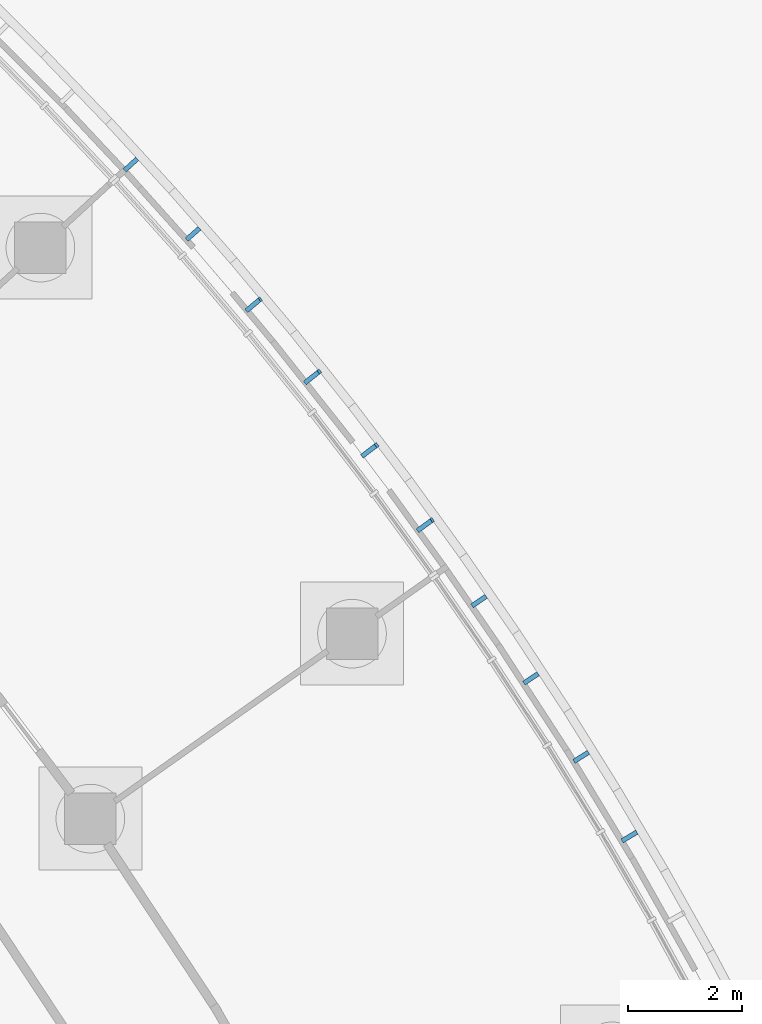
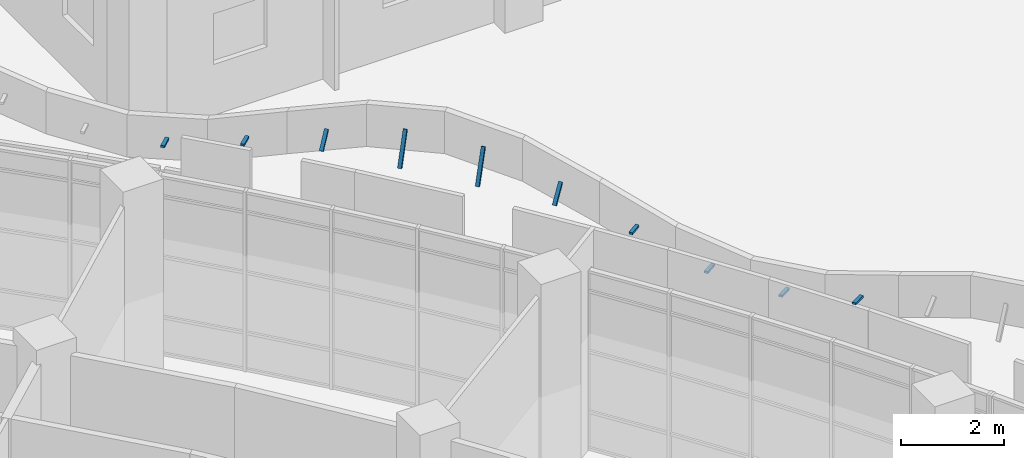
# One storey, part 115 of 146: 10 discrete accessories.
"""IFC4 building model written with IfcOpenShell, lengths in metres."""

from ifc_helpers import new_model, si_unit, direction, frame, origin, origin_2d, place, context, subcontext, project, spatial, rectangle, extrude, material, material_profile, profile_set, type_object, element, save


model = new_model("IFC4")

# Units and contexts
model_context = context("Model", 3, precision=1e-05, world=origin(), true_north=direction((0.0, 1.0)))
body_context = subcontext(model_context, "Body", "Model", "MODEL_VIEW")
ifc_project = project(units=[si_unit("LENGTHUNIT", "METRE"), si_unit("AREAUNIT", "SQUARE_METRE"), si_unit("VOLUMEUNIT", "CUBIC_METRE"), si_unit("PLANEANGLEUNIT", "RADIAN"), si_unit("MASSUNIT", "GRAM", prefix="KILO")], contexts=[model_context])

# Site, building, storey
site_placement = place(None, origin())
site = spatial("IfcSite", under=ifc_project, at=site_placement, CompositionType="ELEMENT")
building_placement = place(site_placement, origin())
building = spatial("IfcBuilding", under=site, at=building_placement, Name="Bougainvillea Quay General Hospital", CompositionType="ELEMENT")
storey_placement = place(building_placement, origin())
storey = spatial("IfcBuildingStorey", under=building, at=storey_placement, Name="L00", CompositionType="ELEMENT", Elevation=0.0)

# Discrete accessories
ifc_material = material(Name="Stainless steel bracket, grade 316", Category="steel")
ifc_material_profile = material_profile(ifc_material, rectangle(XDim=0.080078125, YDim=0.050048828125, at=origin_2d()))
ifc_profile_set = profile_set([ifc_material_profile], Name="Stainless steel bracket, grade 316")
discrete_accessory_type = type_object("IfcDiscreteAccessoryType", Name="Stainless steel stand-off bracket 80x50", PredefinedType="BRACKET", material=ifc_profile_set)
for number, where, z_axis, x_axis, name in (
    (1, (169.450439453125, 57.626953125, 5.064453125), (0.860634888631, 0.509222533349, 0.0), (-0.509222533349, 0.860634888631, 0.0), "Fascia bracket a23 19"),
    (2, (168.607666015625, 59.015380859375, 4.697998046875), (0.84868329185, 0.528901380348, 0.0), (-0.528901380348, 0.84868329185, 0.0), "Fascia bracket a23 20"),
    (3, (167.732666015625, 60.3837890625, 4.734619140625), (0.836281057999, 0.548301004953, 0.0), (-0.548301004953, 0.836281057999, 0.0), "Fascia bracket a23 21"),
    (4, (166.826416015625, 61.731689453125, 5.153564453125), (0.822924084085, 0.568151345887, 0.0), (-0.568151345887, 0.822924084085, 0.0), "Fascia bracket a23 22"),
):
    element("IfcDiscreteAccessory", number, at=place(storey_placement, frame(where, z_axis=z_axis, x_axis=x_axis)), inside=storey, type_object=discrete_accessory_type, Name=name, PredefinedType="BRACKET", context=body_context, shape_type="SweptSolid", body=[
        extrude(rectangle(XDim=0.080078125, YDim=0.050048828125, at=origin_2d()), origin(), (0.0, 0.0, 1.0), 0.300048828125),
    ])
discrete_accessory_1_placement = place(storey_placement, frame((165.888916015625, 63.05810546875, 5.340087890625), z_axis=(0.506847108455, 0.36727313085, 0.779882334718), x_axis=(-0.586767514731, 0.809755446821, 0.0)))
element("IfcDiscreteAccessory", 5, at=discrete_accessory_1_placement, inside=storey, type_object=discrete_accessory_type, Name="Fascia bracket a23 23", PredefinedType="BRACKET", context=body_context, shape_type="SweptSolid", body=[
    extrude(rectangle(XDim=0.080078125, YDim=0.050048828125, at=origin_2d()), origin(), (0.0, 0.0, 1.0), 0.479248046875),
])
discrete_accessory_2_placement = place(storey_placement, frame((164.921142578125, 64.3623046875, 5.340087890625), z_axis=(0.294266602309, 0.223859255744, 0.929136265778), x_axis=(-0.605454603706, 0.795879841968, 0.0)))
element("IfcDiscreteAccessory", 6, at=discrete_accessory_2_placement, inside=storey, type_object=discrete_accessory_type, Name="Fascia bracket a23 24", PredefinedType="BRACKET", context=body_context, shape_type="SweptSolid", body=[
    extrude(rectangle(XDim=0.080078125, YDim=0.050048828125, at=origin_2d()), origin(), (0.0, 0.0, 1.0), 0.8115234375),
])
discrete_accessory_3_placement = place(storey_placement, frame((163.923095703125, 65.643798828125, 5.340087890625), z_axis=(0.295413861899, 0.235470362346, 0.925896516169), x_axis=(-0.623304791369, 0.781978987605, 0.0)))
element("IfcDiscreteAccessory", 7, at=discrete_accessory_3_placement, inside=storey, type_object=discrete_accessory_type, Name="Fascia bracket a23 25", PredefinedType="BRACKET", context=body_context, shape_type="SweptSolid", body=[
    extrude(rectangle(XDim=0.080078125, YDim=0.050048828125, at=origin_2d()), origin(), (0.0, 0.0, 1.0), 0.794189453125),
])
discrete_accessory_4_placement = place(storey_placement, frame((162.895751953125, 66.90185546875, 5.340087890625), z_axis=(0.516778248986, 0.432294331424, 0.738959980238), x_axis=(-0.641624886173, 0.767018582202, 0.0)))
element("IfcDiscreteAccessory", 8, at=discrete_accessory_4_placement, inside=storey, type_object=discrete_accessory_type, Name="Fascia bracket a23 26", PredefinedType="BRACKET", context=body_context, shape_type="SweptSolid", body=[
    extrude(rectangle(XDim=0.080078125, YDim=0.050048828125, at=origin_2d()), origin(), (0.0, 0.0, 1.0), 0.445068359375),
])
for number, where, z_axis, x_axis, name in (
    (9, (161.83935546875, 68.1357421875, 5.10791015625), (0.751971412186, 0.659195718475, 0.0), (-0.659195718475, 0.751971412186, 0.0), "Fascia bracket a23 27"),
    (10, (160.754638671875, 69.3447265625, 4.714599609375), (0.736951521373, 0.67594560073, 0.0), (-0.67594560073, 0.736951521373, 0.0), "Fascia bracket a23 28"),
):
    element("IfcDiscreteAccessory", number, at=place(storey_placement, frame(where, z_axis=z_axis, x_axis=x_axis)), inside=storey, type_object=discrete_accessory_type, Name=name, PredefinedType="BRACKET", context=body_context, shape_type="SweptSolid", body=[
        extrude(rectangle(XDim=0.080078125, YDim=0.050048828125, at=origin_2d()), origin(), (0.0, 0.0, 1.0), 0.300048828125),
    ])

save(model, "model.ifc")
